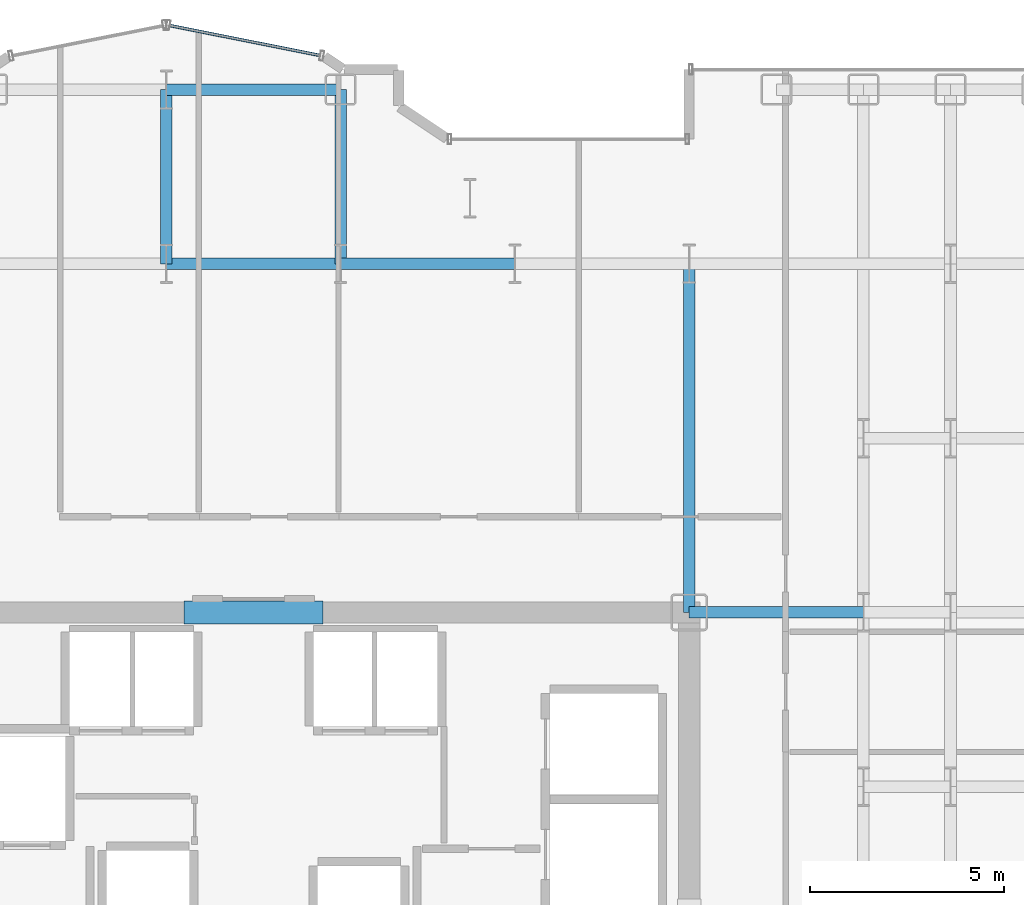
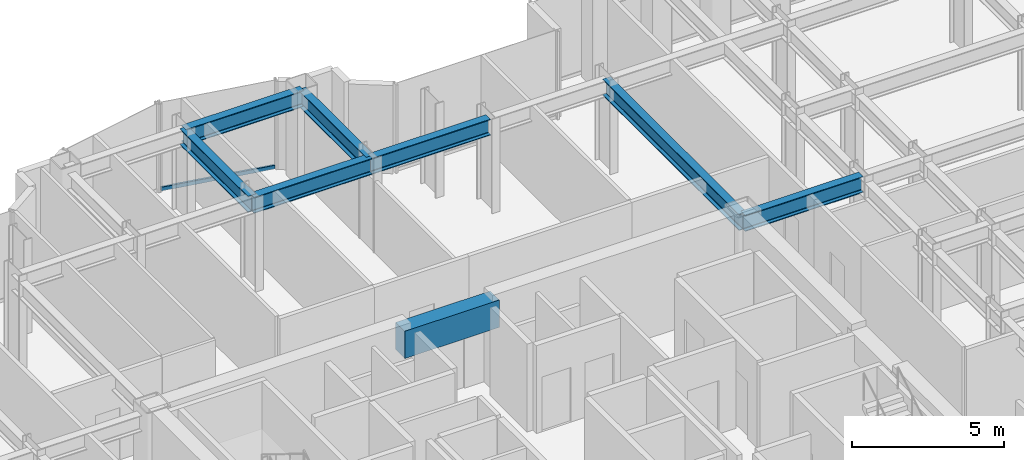
# One storey, part 11 of 26: 8 beams, 1 member, 1 element without a shape of its own.
"""IFC4 building model written with IfcOpenShell, lengths in metres."""

from ifc_helpers import new_model, si_unit, direction, frame, origin, origin_2d, place, context, subcontext, project, spatial, rectangle, hollow_rectangle, i_section, extrude, source, transform, mapped, material, layer, layer_set, material_profile, profile_set, type_object, element, aggregate, save


model = new_model("IFC4")

# Units and contexts
model_context = context("Model", 3, precision=1e-05, world=origin(), true_north=direction((0.0, 1.0)))
body_context = subcontext(model_context, "Body", "Model", "MODEL_VIEW")
ifc_project = project(units=[si_unit("LENGTHUNIT", "METRE"), si_unit("AREAUNIT", "SQUARE_METRE"), si_unit("VOLUMEUNIT", "CUBIC_METRE"), si_unit("PLANEANGLEUNIT", "RADIAN"), si_unit("MASSUNIT", "GRAM", prefix="KILO")], contexts=[model_context])

# Site, building, storey
site_placement = place(None, origin())
site = spatial("IfcSite", under=ifc_project, at=site_placement, CompositionType="ELEMENT")
building_placement = place(site_placement, origin())
building = spatial("IfcBuilding", under=site, at=building_placement, Name="Nefas-Gora Pilgrimage Tower", CompositionType="ELEMENT")
storey_placement = place(building_placement, frame((0.0, 0.0, 128.800048828125)))
storey = spatial("IfcBuildingStorey", under=building, at=storey_placement, Name="L31", CompositionType="ELEMENT", Elevation=128.800048828125)

# Beams
ifc_material_1 = material(Name="Concrete C60/75", Category="concrete")
ifc_material_profile_1 = material_profile(ifc_material_1, rectangle(XDim=0.60009765625, YDim=1.10009765625, at=origin_2d()), Name="RC 600x1100")
ifc_profile_set_1 = profile_set([ifc_material_profile_1], Name="Concrete C60/75")
beam_type_1 = type_object("IfcBeamType", Name="BM-LIN-RC1100", PredefinedType="LINTEL", material=ifc_profile_set_1)
shared_shape_1 = source(origin(), body_context, "Body", "SweptSolid", [
    extrude(rectangle(XDim=0.60009765625, YDim=1.10009765625, at=origin_2d()), origin(), (0.0, 0.0, 1.0), 3.60009765625),
])
beam_1_placement = place(storey_placement, frame((-1.800048828125, 9.0, 3.0), z_axis=(1.0, 0.0, 0.0), x_axis=(0.0, 1.0, 0.0)))
element("IfcBeam", 1, at=beam_1_placement, inside=storey, type_object=beam_type_1, Name="L31 Core Coupling Lintel Beam N", PredefinedType="LINTEL", context=body_context, shape_type="MappedRepresentation", body=[
    mapped(shared_shape_1, transform((0.0, 0.0, 0.0), x_axis=(1.0, 0.0, 0.0), y_axis=(0.0, 1.0, 0.0), z_axis=(0.0, 0.0, 1.0), scale=1.0)),
])
ifc_material_2 = material(Name="Steel S355", Category="steel")
ifc_material_profile_2 = material_profile(ifc_material_2, i_section(OverallWidth=0.300048828125, OverallDepth=0.64990234375, WebThickness=0.01611328125, FlangeThickness=0.031005859375, FilletRadius=0.027099609375, at=origin_2d()), Name="HEB 650")
ifc_profile_set_2 = profile_set([ifc_material_profile_2], Name="Steel S355")
beam_type_2 = type_object("IfcBeamType", Name="BM-GIR-HEB650", PredefinedType="BEAM", material=ifc_profile_set_2)
shared_shape_2 = source(origin(), body_context, "Body", "SweptSolid", [
    extrude(i_section(OverallWidth=0.300048828125, OverallDepth=0.64990234375, WebThickness=0.01611328125, FlangeThickness=0.031005859375, FilletRadius=0.027099609375, at=origin_2d()), origin(), (0.0, 0.0, 1.0), 9.0),
])
beam_2_placement = place(storey_placement, frame((11.25, 9.0, 3.224853515625), z_axis=(0.0, 1.0, 0.0), x_axis=(-1.0, 0.0, 0.0)))
element("IfcBeam", 2, at=beam_2_placement, inside=storey, type_object=beam_type_2, Name="L31 G-03 beam", PredefinedType="BEAM", context=body_context, shape_type="MappedRepresentation", body=[
    mapped(shared_shape_2, transform((0.0, 0.0, 0.0), x_axis=(1.0, 0.0, 0.0), y_axis=(0.0, 1.0, 0.0), z_axis=(0.0, 0.0, 1.0), scale=1.0)),
])
shared_shape_3 = source(origin(), body_context, "Body", "SweptSolid", [
    extrude(i_section(OverallWidth=0.300048828125, OverallDepth=0.64990234375, WebThickness=0.01611328125, FlangeThickness=0.031005859375, FilletRadius=0.027099609375, at=origin_2d()), origin(), (0.0, 0.0, 1.0), 4.5),
])
for number, where, z_axis, x_axis, name in (
    (3, (-2.25, 18.0, 3.224853515625), (0.0, 1.0, 0.0), (-1.0, 0.0, 0.0), "L31 G-03 beam"),
    (4, (-2.25, 18.0, 3.224853515625), (1.0, 0.0, 0.0), (0.0, 1.0, 0.0), "L31 G-03 beam"),
    (5, (-2.25, 22.5, 3.224853515625), (1.0, 0.0, 0.0), (0.0, 1.0, 0.0), "L31 G-03 beam"),
    (6, (2.25, 18.0, 3.224853515625), (0.0, 1.0, 0.0), (-1.0, 0.0, 0.0), "L31 G-03 beam"),
    (7, (2.25, 18.0, 3.224853515625), (1.0, 0.0, 0.0), (0.0, 1.0, 0.0), "L31 G-03 beam"),
    (8, (11.25, 9.0, 3.224853515625), (1.0, 0.0, 0.0), (0.0, 1.0, 0.0), "L31 G-03 beam"),
):
    element("IfcBeam", number, at=place(storey_placement, frame(where, z_axis=z_axis, x_axis=x_axis)), inside=storey, type_object=beam_type_2, Name=name, PredefinedType="BEAM", context=body_context, shape_type="MappedRepresentation", body=[
        mapped(shared_shape_3, transform((0.0, 0.0, 0.0), x_axis=(1.0, 0.0, 0.0), y_axis=(0.0, 1.0, 0.0), z_axis=(0.0, 0.0, 1.0), scale=1.0)),
    ])

# Curtain wall, member
ifc_material_3 = material(Name="Dark ceramic-fritted solar-control aluminium-glass curtain wall", Category="aluminium")
ifc_layer = layer(ifc_material_3, 0.219970703125)
ifc_layer_set = layer_set([ifc_layer], Name="Dark ceramic-fritted solar-control aluminium-glass curtain wall")
curtain_wall_type = type_object("IfcCurtainWallType", Name="CW-SYS-5", PredefinedType="NOTDEFINED", material=ifc_layer_set)
curtain_wall_placement = place(storey_placement, origin())
curtain_wall = element("IfcCurtainWall", 9, at=curtain_wall_placement, inside=storey, type_object=curtain_wall_type, Name="L31 Unitised Curtain Wall CW5", PredefinedType="NOTDEFINED")
ifc_material_4 = material(Name="Anodised architectural aluminium", Category="aluminium")
ifc_material_profile_3 = material_profile(ifc_material_4, hollow_rectangle(XDim=0.080078125, YDim=0.159912109375, WallThickness=0.00439453125, InnerFilletRadius=0.00439453125, OuterFilletRadius=0.009033203125, at=origin_2d()), Name="ALU TRANSOM 80x160")
ifc_profile_set_3 = profile_set([ifc_material_profile_3], Name="Anodised architectural aluminium")
member_type = type_object("IfcMemberType", Name="CWM-TRN-5", PredefinedType="USERDEFINED", material=ifc_profile_set_3)
shared_shape_4 = source(origin(), body_context, "Body", "SweptSolid", [
    extrude(hollow_rectangle(XDim=0.080078125, YDim=0.159912109375, WallThickness=0.00439453125, InnerFilletRadius=0.00439453125, OuterFilletRadius=0.009033203125, at=origin_2d()), origin(), (0.0, 0.0, 1.0), 3.95654296875),
])
member_placement = place(storey_placement, frame((1.718994140625, 23.3828125, 0.050048828125), z_axis=(-0.980781880918, 0.195107411605, 0.0), x_axis=(-0.195107411605, -0.980781880918, 0.0)))
member = element("IfcMember", 10, at=member_placement, type_object=member_type, Name="CW5 Spandrel Transom", ObjectType="TRANSOM", PredefinedType="USERDEFINED", context=body_context, shape_type="MappedRepresentation", body=[
    mapped(shared_shape_4, transform((0.0, 0.0, 0.0), x_axis=(1.0, 0.0, 0.0), y_axis=(0.0, 1.0, 0.0), z_axis=(0.0, 0.0, 1.0), scale=1.0)),
])
aggregate(curtain_wall, [member])

save(model, "model.ifc")
